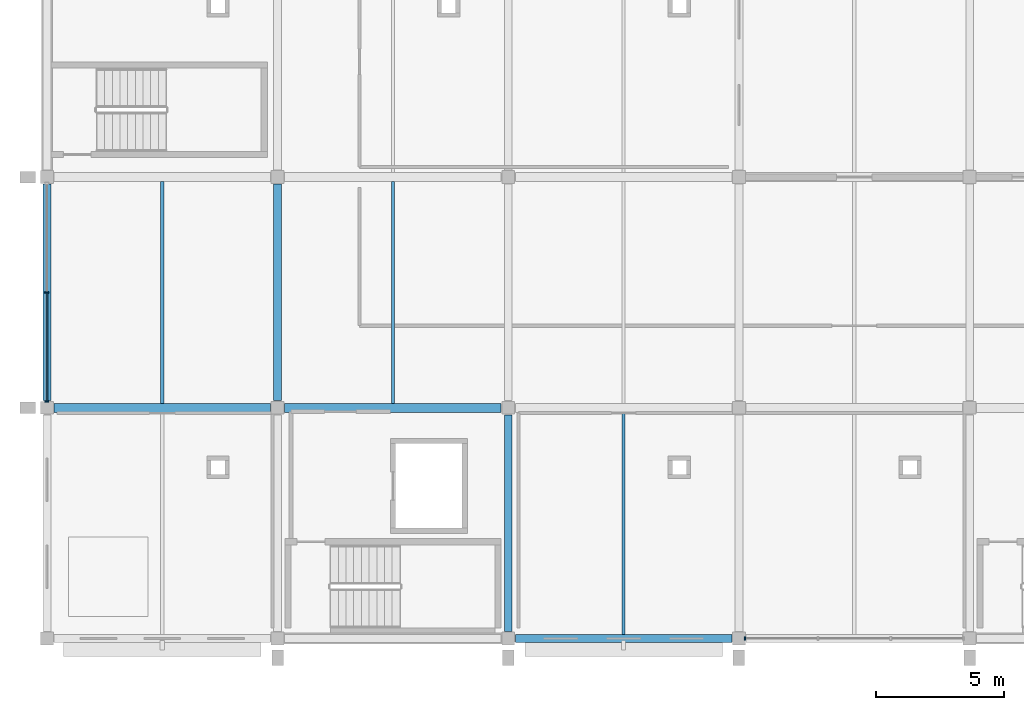
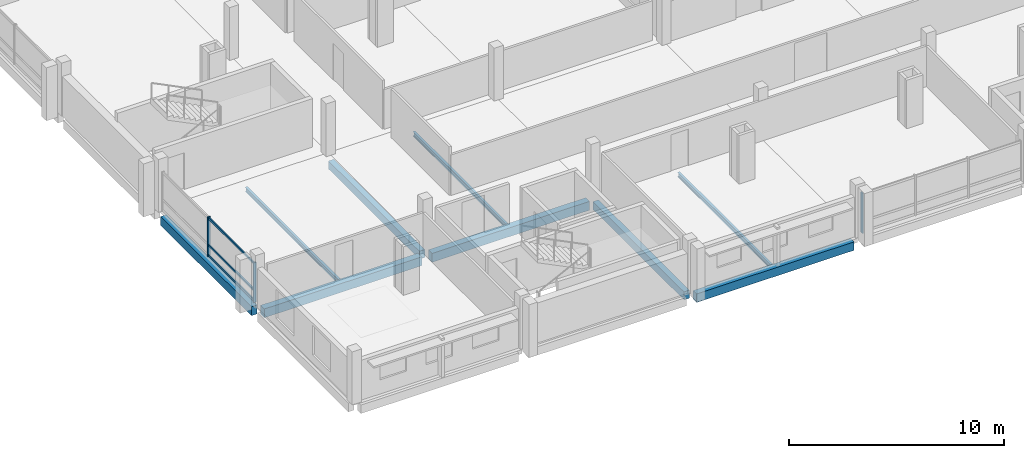
# One storey, part 2 of 25: 9 beams, 6 members, 2 elements without a shape of their own.
"""IFC4 building model written with IfcOpenShell, lengths in metres."""

from ifc_helpers import new_model, si_unit, direction, frame, origin, origin_2d, place, context, subcontext, project, spatial, rectangle, i_section, extrude, material, material_profile, profile_set, type_object, element, aggregate, save


model = new_model("IFC4")

# Units and contexts
model_context = context("Model", 3, precision=1e-05, world=origin(), true_north=direction((0.0, 1.0)))
body_context = subcontext(model_context, "Body", "Model", "MODEL_VIEW")
ifc_project = project(units=[si_unit("LENGTHUNIT", "METRE"), si_unit("AREAUNIT", "SQUARE_METRE"), si_unit("VOLUMEUNIT", "CUBIC_METRE"), si_unit("PLANEANGLEUNIT", "RADIAN"), si_unit("MASSUNIT", "GRAM", prefix="KILO")], contexts=[model_context])

# Site, building, storey
site_placement = place(None, origin())
site = spatial("IfcSite", under=ifc_project, at=site_placement, CompositionType="ELEMENT")
building_placement = place(site_placement, origin())
building = spatial("IfcBuilding", under=site, at=building_placement, Name="Tharagai Park Tramway Depot", CompositionType="ELEMENT")
storey_placement = place(building_placement, frame((0.0, 0.0, 12.0)))
storey = spatial("IfcBuildingStorey", under=building, at=storey_placement, Name="L03", CompositionType="ELEMENT", Elevation=12.0)

# Beams
ifc_material_1 = material(Name="Concrete M35", Category="concrete")
ifc_material_profile_1 = material_profile(ifc_material_1, rectangle(XDim=0.35009765625, YDim=0.5, at=origin_2d()), Name="RC 350x500")
ifc_profile_set_1 = profile_set([ifc_material_profile_1], Name="Concrete M35")
beam_type_1 = type_object("IfcBeamType", Name="BM-11", PredefinedType="BEAM", material=ifc_profile_set_1)
for number, where, z_axis, x_axis, name in (
    (1, (0.27490234375, 9.0, -0.5), (1.0, 0.0, 0.0), (0.0, 1.0, 0.0), "L03 Grid Beam BM-11"),
    (2, (9.27490234375, 9.0, -0.5), (1.0, 0.0, 0.0), (0.0, 1.0, 0.0), "L03 Grid Beam BM-11"),
):
    element("IfcBeam", number, at=place(storey_placement, frame(where, z_axis=z_axis, x_axis=x_axis)), inside=storey, type_object=beam_type_1, Name=name, PredefinedType="BEAM", context=body_context, shape_type="SweptSolid", body=[
        extrude(rectangle(XDim=0.35009765625, YDim=0.5, at=origin_2d()), origin(), (0.0, 0.0, 1.0), 8.4501953125),
    ])
ifc_material_profile_2 = material_profile(ifc_material_1, rectangle(XDim=0.300048828125, YDim=0.449951171875, at=origin_2d()), Name="RC 300x450")
ifc_profile_set_2 = profile_set([ifc_material_profile_2], Name="Concrete M35")
beam_type_2 = type_object("IfcBeamType", Name="BM-14", PredefinedType="BEAM", material=ifc_profile_set_2)
for number, where, z_axis, x_axis, name in (
    (3, (9.0, 9.27490234375, -0.47509765625), (0.0, 1.0, 0.0), (-1.0, 0.0, 0.0), "L03 Grid Beam BM-14"),
    (4, (18.0, 0.27490234375, -0.47509765625), (0.0, 1.0, 0.0), (-1.0, 0.0, 0.0), "L03 Grid Beam BM-14"),
):
    element("IfcBeam", number, at=place(storey_placement, frame(where, z_axis=z_axis, x_axis=x_axis)), inside=storey, type_object=beam_type_2, Name=name, PredefinedType="BEAM", context=body_context, shape_type="SweptSolid", body=[
        extrude(rectangle(XDim=0.300048828125, YDim=0.449951171875, at=origin_2d()), origin(), (0.0, 0.0, 1.0), 8.4501953125),
    ])

# Curtain wall, members
ifc_material_2 = material(Name="Anodised aluminium", Category="aluminium")
curtain_wall_type_1 = type_object("IfcCurtainWallType", Name="CW-07", PredefinedType="NOTDEFINED", material=ifc_material_2)
curtain_wall_1_placement = place(storey_placement, origin())
curtain_wall_1 = element("IfcCurtainWall", 5, at=curtain_wall_1_placement, inside=storey, type_object=curtain_wall_type_1, Name="L03 V4 Side Mullioned Curtain Wall CW-07", PredefinedType="NOTDEFINED")
ifc_material_profile_3 = material_profile(ifc_material_2, rectangle(XDim=0.06494140625, YDim=0.1201171875, at=origin_2d()), Name="ALU 65x120")
ifc_profile_set_3 = profile_set([ifc_material_profile_3], Name="Anodised aluminium")
member_type_1 = type_object("IfcMemberType", Name="CM-01", PredefinedType="USERDEFINED", material=ifc_profile_set_3)
member_1_placement = place(storey_placement, frame((0.0, 9.2548828125, 0.06005859375), z_axis=(0.0, 1.0, 0.0), x_axis=(-1.0, 0.0, 0.0)))
member_1 = element("IfcMember", 6, at=member_1_placement, type_object=member_type_1, Name="L03 V4 Side Mullioned Curtain Wall Transom 1.1", ObjectType="TRANSOM", PredefinedType="USERDEFINED", context=body_context, shape_type="SweptSolid", body=[
    extrude(rectangle(XDim=0.06494140625, YDim=0.1201171875, at=origin_2d()), origin(), (0.0, 0.0, 1.0), 4.230224609375),
])
member_2_placement = place(storey_placement, frame((0.0, 9.2548828125, 0.64990234375), z_axis=(0.0, 1.0, 0.0), x_axis=(-1.0, 0.0, 0.0)))
member_2 = element("IfcMember", 7, at=member_2_placement, type_object=member_type_1, Name="L03 V4 Side Mullioned Curtain Wall Transom 1.2", ObjectType="TRANSOM", PredefinedType="USERDEFINED", context=body_context, shape_type="SweptSolid", body=[
    extrude(rectangle(XDim=0.06494140625, YDim=0.1201171875, at=origin_2d()), origin(), (0.0, 0.0, 1.0), 4.230224609375),
])
member_3_placement = place(storey_placement, frame((0.0, 9.2548828125, 2.169921875), z_axis=(0.0, 1.0, 0.0), x_axis=(-1.0, 0.0, 0.0)))
member_3 = element("IfcMember", 8, at=member_3_placement, type_object=member_type_1, Name="L03 V4 Side Mullioned Curtain Wall Transom 1.3", ObjectType="TRANSOM", PredefinedType="USERDEFINED", context=body_context, shape_type="SweptSolid", body=[
    extrude(rectangle(XDim=0.06494140625, YDim=0.1201171875, at=origin_2d()), origin(), (0.0, 0.0, 1.0), 4.230224609375),
])

# Curtain wall, member
curtain_wall_type_2 = type_object("IfcCurtainWallType", Name="CW-01", PredefinedType="NOTDEFINED", material=ifc_material_2)
curtain_wall_2_placement = place(storey_placement, origin())
curtain_wall_2 = element("IfcCurtainWall", 9, at=curtain_wall_2_placement, inside=storey, type_object=curtain_wall_type_2, Name="L03 V4 Gothic Mullioned Curtain Wall CW-01", PredefinedType="NOTDEFINED")
ifc_material_profile_4 = material_profile(ifc_material_2, rectangle(XDim=0.06494140625, YDim=0.14990234375, at=origin_2d()), Name="ALU 65x150")
ifc_profile_set_4 = profile_set([ifc_material_profile_4], Name="Anodised aluminium")
member_type_2 = type_object("IfcMemberType", Name="CM-03", PredefinedType="MULLION", material=ifc_profile_set_4)
member_4_placement = place(storey_placement, frame((27.239990234375, 0.0, -0.0048828125), z_axis=(0.0, 0.0, 1.0), x_axis=(1.0, 0.0, 0.0)))
member_4 = element("IfcMember", 10, at=member_4_placement, type_object=member_type_2, Name="L03 V4 Gothic Mullioned Curtain Wall Mullion 1", PredefinedType="MULLION", context=body_context, shape_type="SweptSolid", body=[
    extrude(rectangle(XDim=0.06494140625, YDim=0.14990234375, at=origin_2d()), origin(), (0.0, 0.0, 1.0), 2.27978515625),
])
aggregate(curtain_wall_2, [member_4])

# Member
member_5_placement = place(storey_placement, frame((0.0, 9.239990234375, -0.0048828125), z_axis=(0.0, 0.0, 1.0), x_axis=(0.0, 1.0, 0.0)))
member_5 = element("IfcMember", 11, at=member_5_placement, type_object=member_type_2, Name="L03 V4 Side Mullioned Curtain Wall Mullion 1", PredefinedType="MULLION", context=body_context, shape_type="SweptSolid", body=[
    extrude(rectangle(XDim=0.06494140625, YDim=0.14990234375, at=origin_2d()), origin(), (0.0, 0.0, 1.0), 2.259765625),
])

member_6_placement = place(storey_placement, frame((0.0, 13.5, -0.0048828125), z_axis=(0.0, 0.0, 1.0), x_axis=(0.0, 1.0, 0.0)))
member_6 = element("IfcMember", 12, at=member_6_placement, type_object=member_type_2, Name="L03 V4 Side Mullioned Curtain Wall Mullion 2", PredefinedType="MULLION", context=body_context, shape_type="SweptSolid", body=[
    extrude(rectangle(XDim=0.06494140625, YDim=0.14990234375, at=origin_2d()), origin(), (0.0, 0.0, 1.0), 2.259765625),
])

aggregate(curtain_wall_1, [member_5, member_6, member_1, member_2, member_3])

# Beams
ifc_material_3 = material(Name="Steel E250", Category="steel")
ifc_material_profile_5 = material_profile(ifc_material_3, i_section(OverallWidth=0.125, OverallDepth=0.25, WebThickness=0.006103515625, FlangeThickness=0.00830078125, FilletRadius=0.010009765625, at=origin_2d()), Name="ISLB 250")
ifc_profile_set_5 = profile_set([ifc_material_profile_5], Name="Steel E250")
beam_type_3 = type_object("IfcBeamType", Name="JT-04", PredefinedType="JOIST", material=ifc_profile_set_5)
for number, where, z_axis, x_axis, name in (
    (13, (4.5, 9.175048828125, -0.375), (0.0, 1.0, 0.0), (-1.0, 0.0, 0.0), "L03 Secondary Joist JT-04"),
    (14, (13.5, 9.175048828125, -0.375), (0.0, 1.0, 0.0), (-1.0, 0.0, 0.0), "L03 Secondary Joist JT-04"),
):
    element("IfcBeam", number, at=place(storey_placement, frame(where, z_axis=z_axis, x_axis=x_axis)), inside=storey, type_object=beam_type_3, Name=name, PredefinedType="JOIST", context=body_context, shape_type="SweptSolid", body=[
        extrude(i_section(OverallWidth=0.125, OverallDepth=0.25, WebThickness=0.006103515625, FlangeThickness=0.00830078125, FilletRadius=0.010009765625, at=origin_2d()), origin(), (0.0, 0.0, 1.0), 8.64990234375),
    ])
beam_1_placement = place(storey_placement, frame((22.5, 0.159912109375, -0.375), z_axis=(0.0, 1.0, 0.0), x_axis=(-1.0, 0.0, 0.0)))
element("IfcBeam", 15, at=beam_1_placement, inside=storey, type_object=beam_type_3, Name="L03 Secondary Joist JT-04", PredefinedType="JOIST", context=body_context, shape_type="SweptSolid", body=[
    extrude(i_section(OverallWidth=0.125, OverallDepth=0.25, WebThickness=0.006103515625, FlangeThickness=0.00830078125, FilletRadius=0.010009765625, at=origin_2d()), origin(), (0.0, 0.0, 1.0), 8.6650390625),
])
ifc_material_profile_6 = material_profile(ifc_material_1, rectangle(XDim=0.300048828125, YDim=0.5, at=origin_2d()), Name="RC 300x500")
ifc_profile_set_6 = profile_set([ifc_material_profile_6], Name="Concrete M35")
beam_type_4 = type_object("IfcBeamType", Name="SP-03", PredefinedType="SPANDREL", material=ifc_profile_set_6)
beam_2_placement = place(storey_placement, frame((0.0, 9.27490234375, -0.5), z_axis=(0.0, 1.0, 0.0), x_axis=(-1.0, 0.0, 0.0)))
element("IfcBeam", 16, at=beam_2_placement, inside=storey, type_object=beam_type_4, Name="L03 Grid Beam SP-03", PredefinedType="SPANDREL", context=body_context, shape_type="SweptSolid", body=[
    extrude(rectangle(XDim=0.300048828125, YDim=0.5, at=origin_2d()), origin(), (0.0, 0.0, 1.0), 8.4501953125),
])
ifc_material_profile_7 = material_profile(ifc_material_1, rectangle(XDim=0.320068359375, YDim=0.47998046875, at=origin_2d()), Name="RC 320x480")
ifc_profile_set_7 = profile_set([ifc_material_profile_7], Name="Concrete M35")
beam_type_5 = type_object("IfcBeamType", Name="SP-05", PredefinedType="SPANDREL", material=ifc_profile_set_7)
beam_3_placement = place(storey_placement, frame((18.27490234375, 0.0, -0.489990234375), z_axis=(1.0, 0.0, 0.0), x_axis=(0.0, 1.0, 0.0)))
element("IfcBeam", 17, at=beam_3_placement, inside=storey, type_object=beam_type_5, Name="L03 Grid Beam SP-05", PredefinedType="SPANDREL", context=body_context, shape_type="SweptSolid", body=[
    extrude(rectangle(XDim=0.320068359375, YDim=0.47998046875, at=origin_2d()), origin(), (0.0, 0.0, 1.0), 8.4501953125),
])

save(model, "model.ifc")
